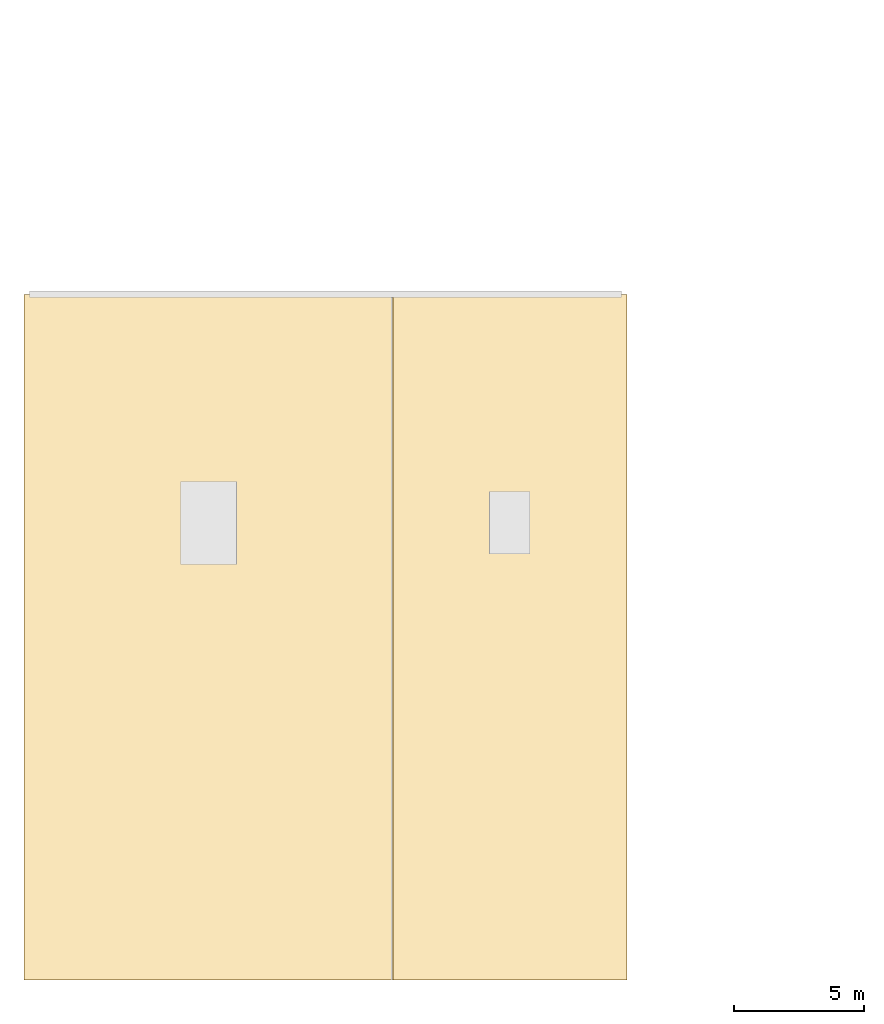
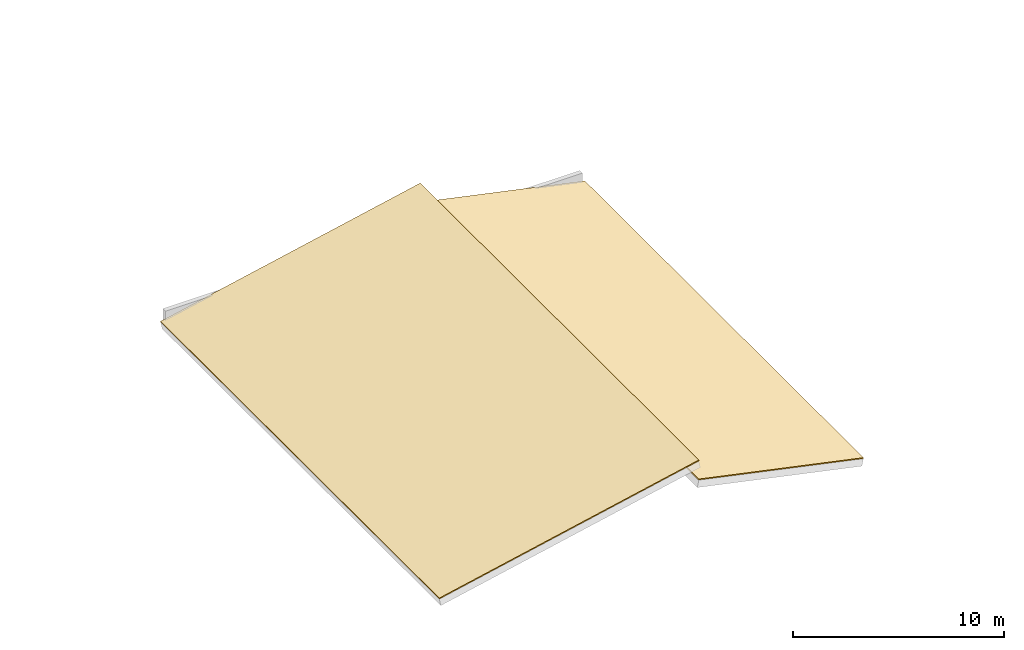
# One storey, part 27 of 29: 2 coverings.
"""IFC4 building model written with IfcOpenShell, lengths in metres."""

from ifc_helpers import new_model, si_unit, direction, frame, origin, place, context, subcontext, project, spatial, polyline, outline, extrude, material, layer, layer_set, type_object, element, save


model = new_model("IFC4")

# Units and contexts
model_context = context("Model", 3, precision=1e-05, world=origin(), true_north=direction((0.0, 1.0)))
body_context = subcontext(model_context, "Body", "Model", "MODEL_VIEW")
ifc_project = project(units=[si_unit("LENGTHUNIT", "METRE"), si_unit("AREAUNIT", "SQUARE_METRE"), si_unit("VOLUMEUNIT", "CUBIC_METRE"), si_unit("PLANEANGLEUNIT", "RADIAN"), si_unit("MASSUNIT", "GRAM", prefix="KILO")], contexts=[model_context])

# Site, building, storey
site_placement = place(None, origin())
site = spatial("IfcSite", under=ifc_project, at=site_placement, CompositionType="ELEMENT")
building_placement = place(site_placement, origin())
building = spatial("IfcBuilding", under=site, at=building_placement, Name="Ventoquebrada Cableway Terminal", CompositionType="ELEMENT")
storey_placement = place(building_placement, frame((0.0, 0.0, 18.89990234375)))
storey = spatial("IfcBuildingStorey", under=building, at=storey_placement, Name="L04", CompositionType="ELEMENT", Elevation=18.89990234375)

# Coverings
ifc_material = material(Name="Standing-seam zinc-titanium roofing")
ifc_layer = layer(ifc_material, 0.06005859375)
ifc_layer_set = layer_set([ifc_layer], Name="Standing-seam zinc-titanium roofing")
covering_type = type_object("IfcCoveringType", Name="COV-RF01", PredefinedType="ROOFING", material=ifc_layer_set)
covering_1_placement = place(storey_placement, frame((3.012451171875, 11.800048828125, 0.03125), z_axis=(-0.207896770191, 0.0, 0.978150772092), x_axis=(0.978150772092, 0.0, 0.207896770191)))
element("IfcCovering", 1, at=covering_1_placement, inside=storey, type_object=covering_type, Name="Standing-seam roof covering SL-105", PredefinedType="ROOFING", context=body_context, shape_type="SweptSolid", body=[
    extrude(outline(polyline([(0.0, 0.0), (14.517139460519381, 0.0), (14.517139460519381, 26.39990234375), (0.0, 26.39990234375), (0.0, 0.0)])), origin(), (0.0, 0.0, 1.0), 0.06005859375),
])
covering_2_placement = place(storey_placement, frame((17.1875, 11.800048828125, 1.9443359375), z_axis=(0.20791968542, 0.0, 0.978145901394), x_axis=(0.978145901394, 0.0, -0.20791968542)))
element("IfcCovering", 2, at=covering_2_placement, inside=storey, type_object=covering_type, Name="Standing-seam roof covering SL-106", PredefinedType="ROOFING", context=body_context, shape_type="SweptSolid", body=[
    extrude(outline(polyline([(0.0, 0.0), (9.201081338856877, 0.0), (9.201081338856877, 26.39990234375), (0.0, 26.39990234375), (0.0, 0.0)])), origin(), (0.0, 0.0, 1.0), 0.06005859375),
])

save(model, "model.ifc")
